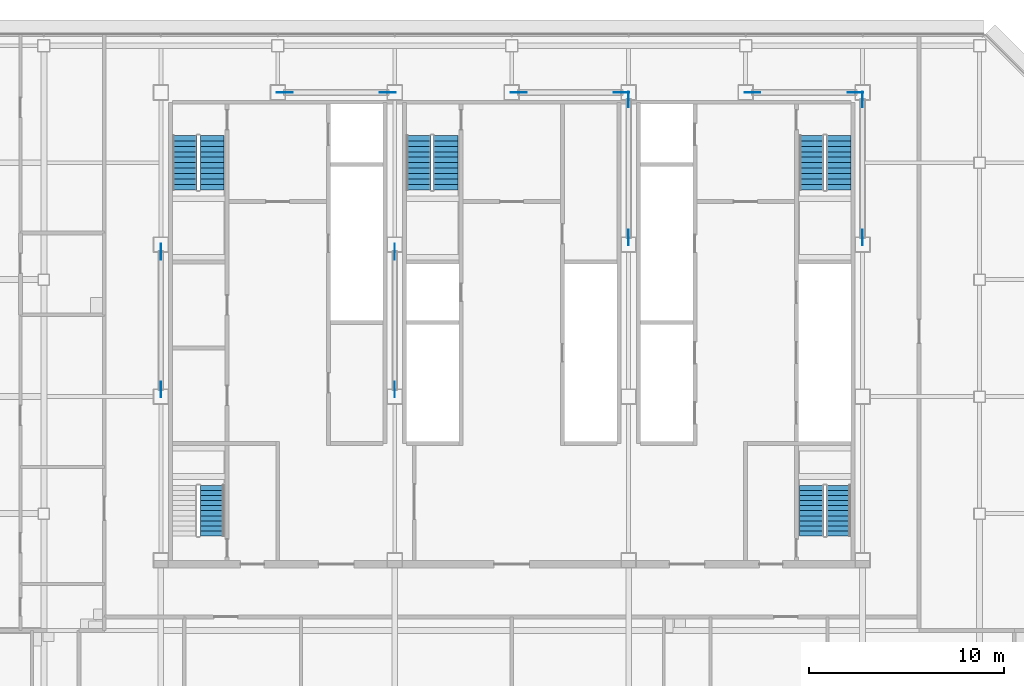
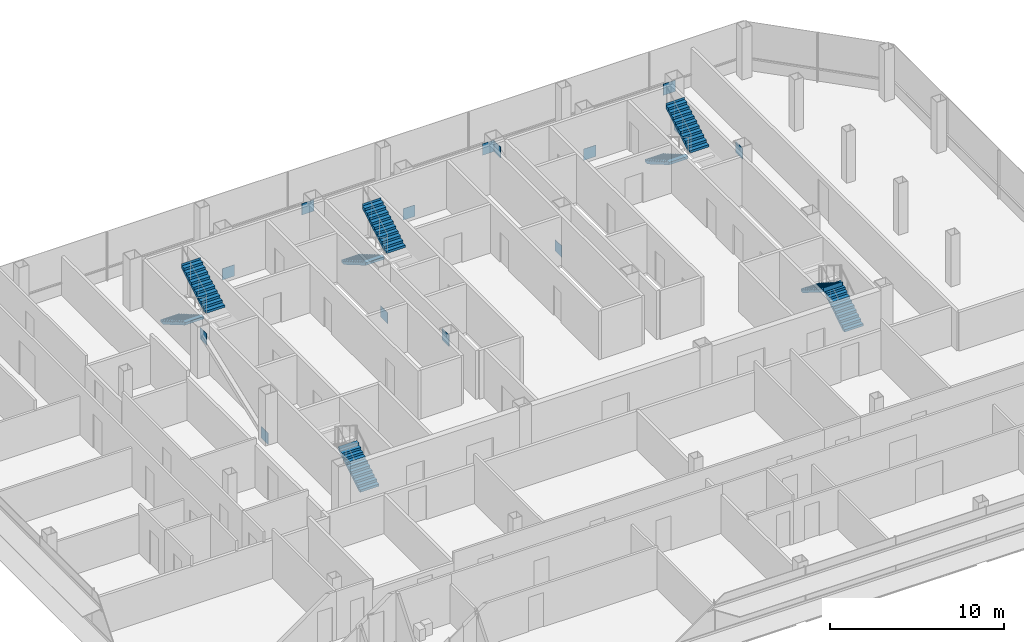
# One storey, part 24 of 26: 14 discrete accessories, 9 stair flights, 5 elements without a shape of their own.
"""IFC4 building model written with IfcOpenShell, lengths in metres."""

from ifc_helpers import new_model, si_unit, direction, frame, origin, origin_2d, place, context, subcontext, project, spatial, polyline, rectangle, outline, extrude, material, layer, layer_set, type_object, element, aggregate, save


model = new_model("IFC4")

# Units and contexts
model_context = context("Model", 3, precision=1e-05, world=origin(), true_north=direction((0.0, 1.0)))
body_context = subcontext(model_context, "Body", "Model", "MODEL_VIEW")
ifc_project = project(units=[si_unit("LENGTHUNIT", "METRE"), si_unit("AREAUNIT", "SQUARE_METRE"), si_unit("VOLUMEUNIT", "CUBIC_METRE"), si_unit("PLANEANGLEUNIT", "RADIAN"), si_unit("MASSUNIT", "GRAM", prefix="KILO")], contexts=[model_context])

# Site, building, storey
site_placement = place(None, origin())
site = spatial("IfcSite", under=ifc_project, at=site_placement, CompositionType="ELEMENT")
building_placement = place(site_placement, origin())
building = spatial("IfcBuilding", under=site, at=building_placement, Name="Sorahane Residences", CompositionType="ELEMENT")
storey_placement = place(building_placement, frame((0.0, 0.0, 215.39990234375)))
storey = spatial("IfcBuildingStorey", under=building, at=storey_placement, Name="L50", CompositionType="ELEMENT", Elevation=215.39990234375)

# Stair, stair flights
ifc_material_1 = material(Name="Concrete C40", Category="concrete")
stair_type = type_object("IfcStairType", Name="Dog-leg stair 1250 Concrete C40", PredefinedType="HALF_TURN_STAIR", material=ifc_material_1)
stair_1_placement = place(storey_placement, origin())
stair_1 = element("IfcStair", 1, at=stair_1_placement, inside=storey, type_object=stair_type, Name="L50 Stair S1", PredefinedType="HALF_TURN_STAIR")
ifc_material_2 = material(Name="Concrete C40", Category="concrete")
stair_flight_type = type_object("IfcStairFlightType", Name="Stair flight 1250 Concrete C40", PredefinedType="STRAIGHT", material=ifc_material_2)
stair_flight_1_placement = place(storey_placement, frame((7.22509765625, 43.39990234375, 0.0), z_axis=(0.0, 0.0, 1.0), x_axis=(0.0, -1.0, 0.0)))
stair_flight_1 = element("IfcStairFlight", 2, at=stair_flight_1_placement, type_object=stair_flight_type, Name="S1 flight 1", NumberOfRisers=11, NumberOfTreads=10, PredefinedType="STRAIGHT", RiserHeight=0.163636364, TreadLength=0.28, context=body_context, shape_type="SweptSolid", body=[
    extrude(outline(polyline([(-0.00146484375, 0.0), (-0.00146484375, 0.16357421875), (0.0, 0.16357421875), (0.280029296875, 0.16357421875), (0.280029296875, 0.327392578125), (0.56005859375, 0.327392578125), (0.56005859375, 0.490966796875), (0.840087890625, 0.490966796875), (0.840087890625, 0.654541015625), (1.1201171875, 0.654541015625), (1.1201171875, 0.818115234375), (1.39990234375, 0.818115234375), (1.39990234375, 0.98193359375), (1.679931640625, 0.98193359375), (1.679931640625, 1.1455078125), (1.9599609375, 1.1455078125), (1.9599609375, 1.30908203125), (2.239990234375, 1.30908203125), (2.239990234375, 1.47265625), (2.52001953125, 1.47265625), (2.52001953125, 1.636474609375), (2.800048828125, 1.636474609375), (2.800048828125, 1.800048828125), (2.800048828125, 1.462646484375), (2.59130859375, 1.3408203125), (2.3828125, 1.218994140625), (2.17431640625, 1.09716796875), (1.965576171875, 0.97509765625), (1.757080078125, 0.853271484375), (1.548583984375, 0.7314453125), (1.340087890625, 0.609375), (1.13134765625, 0.487548828125), (0.9228515625, 0.36572265625), (0.71435546875, 0.243896484375), (0.505615234375, 0.121826171875), (0.297119140625, 0.0), (-0.00146484375, 0.0)])), frame((0.0, 0.625, 0.0), z_axis=(0.0, -1.0, 0.0), x_axis=(1.0, 0.0, 0.0)), (0.0, 0.0, 1.0), 1.25),
])
stair_flight_2_placement = place(storey_placement, frame((8.625, 40.60009765625, 1.800048828125), z_axis=(0.0, 0.0, 1.0), x_axis=(0.0, 1.0, 0.0)))
stair_flight_2 = element("IfcStairFlight", 3, at=stair_flight_2_placement, type_object=stair_flight_type, Name="S1 flight 2", NumberOfRisers=11, NumberOfTreads=10, PredefinedType="STRAIGHT", RiserHeight=0.163636364, TreadLength=0.28, context=body_context, shape_type="SweptSolid", body=[
    extrude(outline(polyline([(0.0, 0.0), (0.0, 0.16357421875), (0.280029296875, 0.16357421875), (0.280029296875, 0.327392578125), (0.56005859375, 0.327392578125), (0.56005859375, 0.490966796875), (0.840087890625, 0.490966796875), (0.840087890625, 0.654541015625), (1.1201171875, 0.654541015625), (1.1201171875, 0.818115234375), (1.39990234375, 0.818115234375), (1.39990234375, 0.98193359375), (1.679931640625, 0.98193359375), (1.679931640625, 1.1455078125), (1.9599609375, 1.1455078125), (1.9599609375, 1.30908203125), (2.239990234375, 1.30908203125), (2.239990234375, 1.47265625), (2.52001953125, 1.47265625), (2.52001953125, 1.636474609375), (2.800048828125, 1.636474609375), (2.800048828125, 1.800048828125), (2.801513671875, 1.800048828125), (2.801513671875, 1.462646484375), (2.5927734375, 1.3408203125), (2.384033203125, 1.218994140625), (2.17529296875, 1.09716796875), (1.966796875, 0.97509765625), (1.758056640625, 0.853271484375), (1.54931640625, 0.7314453125), (1.340576171875, 0.609375), (1.1318359375, 0.487548828125), (0.923095703125, 0.36572265625), (0.714599609375, 0.243896484375), (0.505859375, 0.121826171875), (0.297119140625, 0.0), (0.0, 0.0)])), frame((0.0, 0.625, 0.0), z_axis=(0.0, -1.0, 0.0), x_axis=(1.0, 0.0, 0.0)), (0.0, 0.0, 1.0), 1.25),
])
aggregate(stair_1, [stair_flight_1, stair_flight_2])

stair_2_placement = place(storey_placement, origin())
stair_2 = element("IfcStair", 4, at=stair_2_placement, inside=storey, type_object=stair_type, Name="L50 Stair S2", PredefinedType="HALF_TURN_STAIR")
stair_flight_3_placement = place(storey_placement, frame((39.375, 43.39990234375, 0.0), z_axis=(0.0, 0.0, 1.0), x_axis=(0.0, -1.0, 0.0)))
stair_flight_3 = element("IfcStairFlight", 5, at=stair_flight_3_placement, type_object=stair_flight_type, Name="S2 flight 1", NumberOfRisers=11, NumberOfTreads=10, PredefinedType="STRAIGHT", RiserHeight=0.163636364, TreadLength=0.28, context=body_context, shape_type="SweptSolid", body=[
    extrude(outline(polyline([(-0.00146484375, 0.0), (-0.00146484375, 0.16357421875), (0.0, 0.16357421875), (0.280029296875, 0.16357421875), (0.280029296875, 0.327392578125), (0.56005859375, 0.327392578125), (0.56005859375, 0.490966796875), (0.840087890625, 0.490966796875), (0.840087890625, 0.654541015625), (1.1201171875, 0.654541015625), (1.1201171875, 0.818115234375), (1.39990234375, 0.818115234375), (1.39990234375, 0.98193359375), (1.679931640625, 0.98193359375), (1.679931640625, 1.1455078125), (1.9599609375, 1.1455078125), (1.9599609375, 1.30908203125), (2.239990234375, 1.30908203125), (2.239990234375, 1.47265625), (2.52001953125, 1.47265625), (2.52001953125, 1.636474609375), (2.800048828125, 1.636474609375), (2.800048828125, 1.800048828125), (2.800048828125, 1.462646484375), (2.59130859375, 1.3408203125), (2.3828125, 1.218994140625), (2.17431640625, 1.09716796875), (1.965576171875, 0.97509765625), (1.757080078125, 0.853271484375), (1.548583984375, 0.7314453125), (1.340087890625, 0.609375), (1.13134765625, 0.487548828125), (0.9228515625, 0.36572265625), (0.71435546875, 0.243896484375), (0.505615234375, 0.121826171875), (0.297119140625, 0.0), (-0.00146484375, 0.0)])), frame((0.0, 0.625, 0.0), z_axis=(0.0, -1.0, 0.0), x_axis=(1.0, 0.0, 0.0)), (0.0, 0.0, 1.0), 1.25),
])
stair_flight_4_placement = place(storey_placement, frame((40.77490234375, 40.60009765625, 1.800048828125), z_axis=(0.0, 0.0, 1.0), x_axis=(0.0, 1.0, 0.0)))
stair_flight_4 = element("IfcStairFlight", 6, at=stair_flight_4_placement, type_object=stair_flight_type, Name="S2 flight 2", NumberOfRisers=11, NumberOfTreads=10, PredefinedType="STRAIGHT", RiserHeight=0.163636364, TreadLength=0.28, context=body_context, shape_type="SweptSolid", body=[
    extrude(outline(polyline([(0.0, 0.0), (0.0, 0.16357421875), (0.280029296875, 0.16357421875), (0.280029296875, 0.327392578125), (0.56005859375, 0.327392578125), (0.56005859375, 0.490966796875), (0.840087890625, 0.490966796875), (0.840087890625, 0.654541015625), (1.1201171875, 0.654541015625), (1.1201171875, 0.818115234375), (1.39990234375, 0.818115234375), (1.39990234375, 0.98193359375), (1.679931640625, 0.98193359375), (1.679931640625, 1.1455078125), (1.9599609375, 1.1455078125), (1.9599609375, 1.30908203125), (2.239990234375, 1.30908203125), (2.239990234375, 1.47265625), (2.52001953125, 1.47265625), (2.52001953125, 1.636474609375), (2.800048828125, 1.636474609375), (2.800048828125, 1.800048828125), (2.801513671875, 1.800048828125), (2.801513671875, 1.462646484375), (2.5927734375, 1.3408203125), (2.384033203125, 1.218994140625), (2.17529296875, 1.09716796875), (1.966796875, 0.97509765625), (1.758056640625, 0.853271484375), (1.54931640625, 0.7314453125), (1.340576171875, 0.609375), (1.1318359375, 0.487548828125), (0.923095703125, 0.36572265625), (0.714599609375, 0.243896484375), (0.505859375, 0.121826171875), (0.297119140625, 0.0), (0.0, 0.0)])), frame((0.0, 0.625, 0.0), z_axis=(0.0, -1.0, 0.0), x_axis=(1.0, 0.0, 0.0)), (0.0, 0.0, 1.0), 1.25),
])
aggregate(stair_2, [stair_flight_3, stair_flight_4])

stair_3_placement = place(storey_placement, origin())
stair_3 = element("IfcStair", 7, at=stair_3_placement, inside=storey, type_object=stair_type, Name="L50 Stair S3", PredefinedType="HALF_TURN_STAIR")
stair_flight_5_placement = place(storey_placement, frame((19.22509765625, 43.39990234375, 0.0), z_axis=(0.0, 0.0, 1.0), x_axis=(0.0, -1.0, 0.0)))
stair_flight_5 = element("IfcStairFlight", 8, at=stair_flight_5_placement, type_object=stair_flight_type, Name="S3 flight 1", NumberOfRisers=11, NumberOfTreads=10, PredefinedType="STRAIGHT", RiserHeight=0.163636364, TreadLength=0.28, context=body_context, shape_type="SweptSolid", body=[
    extrude(outline(polyline([(-0.00146484375, 0.0), (-0.00146484375, 0.16357421875), (0.0, 0.16357421875), (0.280029296875, 0.16357421875), (0.280029296875, 0.327392578125), (0.56005859375, 0.327392578125), (0.56005859375, 0.490966796875), (0.840087890625, 0.490966796875), (0.840087890625, 0.654541015625), (1.1201171875, 0.654541015625), (1.1201171875, 0.818115234375), (1.39990234375, 0.818115234375), (1.39990234375, 0.98193359375), (1.679931640625, 0.98193359375), (1.679931640625, 1.1455078125), (1.9599609375, 1.1455078125), (1.9599609375, 1.30908203125), (2.239990234375, 1.30908203125), (2.239990234375, 1.47265625), (2.52001953125, 1.47265625), (2.52001953125, 1.636474609375), (2.800048828125, 1.636474609375), (2.800048828125, 1.800048828125), (2.800048828125, 1.462646484375), (2.59130859375, 1.3408203125), (2.3828125, 1.218994140625), (2.17431640625, 1.09716796875), (1.965576171875, 0.97509765625), (1.757080078125, 0.853271484375), (1.548583984375, 0.7314453125), (1.340087890625, 0.609375), (1.13134765625, 0.487548828125), (0.9228515625, 0.36572265625), (0.71435546875, 0.243896484375), (0.505615234375, 0.121826171875), (0.297119140625, 0.0), (-0.00146484375, 0.0)])), frame((0.0, 0.625, 0.0), z_axis=(0.0, -1.0, 0.0), x_axis=(1.0, 0.0, 0.0)), (0.0, 0.0, 1.0), 1.25),
])
stair_flight_6_placement = place(storey_placement, frame((20.625, 40.60009765625, 1.800048828125), z_axis=(0.0, 0.0, 1.0), x_axis=(0.0, 1.0, 0.0)))
stair_flight_6 = element("IfcStairFlight", 9, at=stair_flight_6_placement, type_object=stair_flight_type, Name="S3 flight 2", NumberOfRisers=11, NumberOfTreads=10, PredefinedType="STRAIGHT", RiserHeight=0.163636364, TreadLength=0.28, context=body_context, shape_type="SweptSolid", body=[
    extrude(outline(polyline([(0.0, 0.0), (0.0, 0.16357421875), (0.280029296875, 0.16357421875), (0.280029296875, 0.327392578125), (0.56005859375, 0.327392578125), (0.56005859375, 0.490966796875), (0.840087890625, 0.490966796875), (0.840087890625, 0.654541015625), (1.1201171875, 0.654541015625), (1.1201171875, 0.818115234375), (1.39990234375, 0.818115234375), (1.39990234375, 0.98193359375), (1.679931640625, 0.98193359375), (1.679931640625, 1.1455078125), (1.9599609375, 1.1455078125), (1.9599609375, 1.30908203125), (2.239990234375, 1.30908203125), (2.239990234375, 1.47265625), (2.52001953125, 1.47265625), (2.52001953125, 1.636474609375), (2.800048828125, 1.636474609375), (2.800048828125, 1.800048828125), (2.801513671875, 1.800048828125), (2.801513671875, 1.462646484375), (2.5927734375, 1.3408203125), (2.384033203125, 1.218994140625), (2.17529296875, 1.09716796875), (1.966796875, 0.97509765625), (1.758056640625, 0.853271484375), (1.54931640625, 0.7314453125), (1.340576171875, 0.609375), (1.1318359375, 0.487548828125), (0.923095703125, 0.36572265625), (0.714599609375, 0.243896484375), (0.505859375, 0.121826171875), (0.297119140625, 0.0), (0.0, 0.0)])), frame((0.0, 0.625, 0.0), z_axis=(0.0, -1.0, 0.0), x_axis=(1.0, 0.0, 0.0)), (0.0, 0.0, 1.0), 1.25),
])
aggregate(stair_3, [stair_flight_5, stair_flight_6])

# Stair, stair flight
stair_4_placement = place(storey_placement, origin())
stair_4 = element("IfcStair", 10, at=stair_4_placement, inside=storey, type_object=stair_type, Name="L50 Stair S4", PredefinedType="HALF_TURN_STAIR")
stair_flight_7_placement = place(storey_placement, frame((8.625, 22.85009765625, 0.0), z_axis=(0.0, 0.0, 1.0), x_axis=(0.0, 1.0, 0.0)))
stair_flight_7 = element("IfcStairFlight", 11, at=stair_flight_7_placement, type_object=stair_flight_type, Name="S4 flight 1", NumberOfRisers=11, NumberOfTreads=10, PredefinedType="STRAIGHT", RiserHeight=0.163636364, TreadLength=0.26, context=body_context, shape_type="SweptSolid", body=[
    extrude(outline(polyline([(-0.00146484375, 0.0), (-0.00146484375, 0.16357421875), (0.0, 0.16357421875), (0.260009765625, 0.16357421875), (0.260009765625, 0.327392578125), (0.52001953125, 0.327392578125), (0.52001953125, 0.490966796875), (0.780029296875, 0.490966796875), (0.780029296875, 0.654541015625), (1.0400390625, 0.654541015625), (1.0400390625, 0.818115234375), (1.300048828125, 0.818115234375), (1.300048828125, 0.98193359375), (1.56005859375, 0.98193359375), (1.56005859375, 1.1455078125), (1.820068359375, 1.1455078125), (1.820068359375, 1.30908203125), (2.080078125, 1.30908203125), (2.080078125, 1.47265625), (2.340087890625, 1.47265625), (2.340087890625, 1.636474609375), (2.60009765625, 1.636474609375), (2.60009765625, 1.800048828125), (2.60009765625, 1.494384765625), (2.402099609375, 1.369873046875), (2.204345703125, 1.245361328125), (2.00634765625, 1.120849609375), (1.80859375, 0.996337890625), (1.610595703125, 0.871826171875), (1.412841796875, 0.747314453125), (1.21484375, 0.622802734375), (1.01708984375, 0.498046875), (0.819091796875, 0.37353515625), (0.621337890625, 0.2490234375), (0.42333984375, 0.12451171875), (0.2255859375, 0.0), (-0.00146484375, 0.0)])), frame((0.0, 0.625, 0.0), z_axis=(0.0, -1.0, 0.0), x_axis=(1.0, 0.0, 0.0)), (0.0, 0.0, 1.0), 1.25),
])
aggregate(stair_4, [stair_flight_7])

# Stair, stair flights
stair_5_placement = place(storey_placement, origin())
stair_5 = element("IfcStair", 12, at=stair_5_placement, inside=storey, type_object=stair_type, Name="L50 Stair S5", PredefinedType="HALF_TURN_STAIR")
stair_flight_8_placement = place(storey_placement, frame((40.77490234375, 22.85009765625, 0.0), z_axis=(0.0, 0.0, 1.0), x_axis=(0.0, 1.0, 0.0)))
stair_flight_8 = element("IfcStairFlight", 13, at=stair_flight_8_placement, type_object=stair_flight_type, Name="S5 flight 1", NumberOfRisers=11, NumberOfTreads=10, PredefinedType="STRAIGHT", RiserHeight=0.163636364, TreadLength=0.26, context=body_context, shape_type="SweptSolid", body=[
    extrude(outline(polyline([(-0.00146484375, 0.0), (-0.00146484375, 0.16357421875), (0.0, 0.16357421875), (0.260009765625, 0.16357421875), (0.260009765625, 0.327392578125), (0.52001953125, 0.327392578125), (0.52001953125, 0.490966796875), (0.780029296875, 0.490966796875), (0.780029296875, 0.654541015625), (1.0400390625, 0.654541015625), (1.0400390625, 0.818115234375), (1.300048828125, 0.818115234375), (1.300048828125, 0.98193359375), (1.56005859375, 0.98193359375), (1.56005859375, 1.1455078125), (1.820068359375, 1.1455078125), (1.820068359375, 1.30908203125), (2.080078125, 1.30908203125), (2.080078125, 1.47265625), (2.340087890625, 1.47265625), (2.340087890625, 1.636474609375), (2.60009765625, 1.636474609375), (2.60009765625, 1.800048828125), (2.60009765625, 1.494384765625), (2.402099609375, 1.369873046875), (2.204345703125, 1.245361328125), (2.00634765625, 1.120849609375), (1.80859375, 0.996337890625), (1.610595703125, 0.871826171875), (1.412841796875, 0.747314453125), (1.21484375, 0.622802734375), (1.01708984375, 0.498046875), (0.819091796875, 0.37353515625), (0.621337890625, 0.2490234375), (0.42333984375, 0.12451171875), (0.2255859375, 0.0), (-0.00146484375, 0.0)])), frame((0.0, 0.625, 0.0), z_axis=(0.0, -1.0, 0.0), x_axis=(1.0, 0.0, 0.0)), (0.0, 0.0, 1.0), 1.25),
])
stair_flight_9_placement = place(storey_placement, frame((39.375, 25.449951171875, 1.800048828125), z_axis=(0.0, 0.0, 1.0), x_axis=(0.0, -1.0, 0.0)))
stair_flight_9 = element("IfcStairFlight", 14, at=stair_flight_9_placement, type_object=stair_flight_type, Name="S5 flight 2", NumberOfRisers=11, NumberOfTreads=10, PredefinedType="STRAIGHT", RiserHeight=0.163636364, TreadLength=0.26, context=body_context, shape_type="SweptSolid", body=[
    extrude(outline(polyline([(0.0, 0.0), (0.0, 0.16357421875), (0.260009765625, 0.16357421875), (0.260009765625, 0.327392578125), (0.52001953125, 0.327392578125), (0.52001953125, 0.490966796875), (0.780029296875, 0.490966796875), (0.780029296875, 0.654541015625), (1.0400390625, 0.654541015625), (1.0400390625, 0.818115234375), (1.300048828125, 0.818115234375), (1.300048828125, 0.98193359375), (1.56005859375, 0.98193359375), (1.56005859375, 1.1455078125), (1.820068359375, 1.1455078125), (1.820068359375, 1.30908203125), (2.080078125, 1.30908203125), (2.080078125, 1.47265625), (2.340087890625, 1.47265625), (2.340087890625, 1.636474609375), (2.60009765625, 1.636474609375), (2.60009765625, 1.800048828125), (2.6015625, 1.800048828125), (2.6015625, 1.494384765625), (2.403564453125, 1.369873046875), (2.20556640625, 1.245361328125), (2.007568359375, 1.120849609375), (1.8095703125, 0.996337890625), (1.611572265625, 0.871826171875), (1.41357421875, 0.747314453125), (1.215576171875, 0.622802734375), (1.017578125, 0.498046875), (0.819580078125, 0.37353515625), (0.62158203125, 0.2490234375), (0.423583984375, 0.12451171875), (0.2255859375, 0.0), (0.0, 0.0)])), frame((0.0, 0.625, 0.0), z_axis=(0.0, -1.0, 0.0), x_axis=(1.0, 0.0, 0.0)), (0.0, 0.0, 1.0), 1.25),
])
aggregate(stair_5, [stair_flight_8, stair_flight_9])

# Discrete accessories
ifc_material_3 = material(Name="Steel Q355B", Category="steel")
ifc_layer = layer(ifc_material_3, 0.02490234375)
ifc_layer_set = layer_set([ifc_layer], Name="Node plate Steel Q355B 25")
discrete_accessory_type = type_object("IfcDiscreteAccessoryType", Name="Node plate Steel Q355B 25", PredefinedType="BRACKET", material=ifc_layer_set)
for number, where, z_axis, x_axis, name in (
    (15, (6.0, 30.367919921875, -0.26220703125), (0.0, 0.0, 1.0), (0.0, 1.0, 0.0), "Node plate L50 br"),
    (16, (6.0, 37.43212890625, 2.43212890625), (0.0, 0.0, 1.0), (0.0, 1.0, 0.0), "Node plate L50 br"),
    (17, (18.0, 37.43212890625, -0.26220703125), (0.0, 0.0, 1.0), (0.0, 1.0, 0.0), "Node plate L50 br"),
    (18, (18.0, 30.367919921875, 2.43212890625), (0.0, 0.0, 1.0), (0.0, 1.0, 0.0), "Node plate L50 br"),
    (19, (30.0, 38.16796875, -0.26220703125), (0.0, 0.0, 1.0), (0.0, 1.0, 0.0), "Node plate L50 br"),
    (20, (30.0, 45.232177734375, 2.43212890625), (0.0, 0.0, 1.0), (0.0, 1.0, 0.0), "Node plate L50 br"),
    (21, (42.0, 45.232177734375, -0.26220703125), (0.0, 0.0, 1.0), (0.0, 1.0, 0.0), "Node plate L50 br"),
    (22, (42.0, 38.16796875, 2.43212890625), (0.0, 0.0, 1.0), (0.0, 1.0, 0.0), "Node plate L50 br"),
    (23, (12.35888671875, 45.60009765625, -0.27099609375), (0.0, 0.0, 1.0), (1.0, 0.0, 0.0), "Node plate L50 br"),
    (24, (24.35888671875, 45.60009765625, -0.27099609375), (0.0, 0.0, 1.0), (1.0, 0.0, 0.0), "Node plate L50 br"),
    (25, (36.35888671875, 45.60009765625, -0.27099609375), (0.0, 0.0, 1.0), (1.0, 0.0, 0.0), "Node plate L50 br"),
    (26, (17.64111328125, 45.60009765625, 2.44140625), (0.0, 0.0, 1.0), (1.0, 0.0, 0.0), "Node plate L50 br"),
    (27, (29.64111328125, 45.60009765625, 2.44140625), (0.0, 0.0, 1.0), (1.0, 0.0, 0.0), "Node plate L50 br"),
    (28, (41.64111328125, 45.60009765625, 2.44140625), (0.0, 0.0, 1.0), (1.0, 0.0, 0.0), "Node plate L50 br"),
):
    element("IfcDiscreteAccessory", number, at=place(storey_placement, frame(where, z_axis=z_axis, x_axis=x_axis)), inside=storey, type_object=discrete_accessory_type, Name=name, PredefinedType="BRACKET", context=body_context, shape_type="SweptSolid", body=[
        extrude(rectangle(XDim=0.800048828125, YDim=0.02490234375, at=origin_2d()), origin(), (0.0, 0.0, 1.0), 0.800048828125),
    ])

save(model, "model.ifc")
